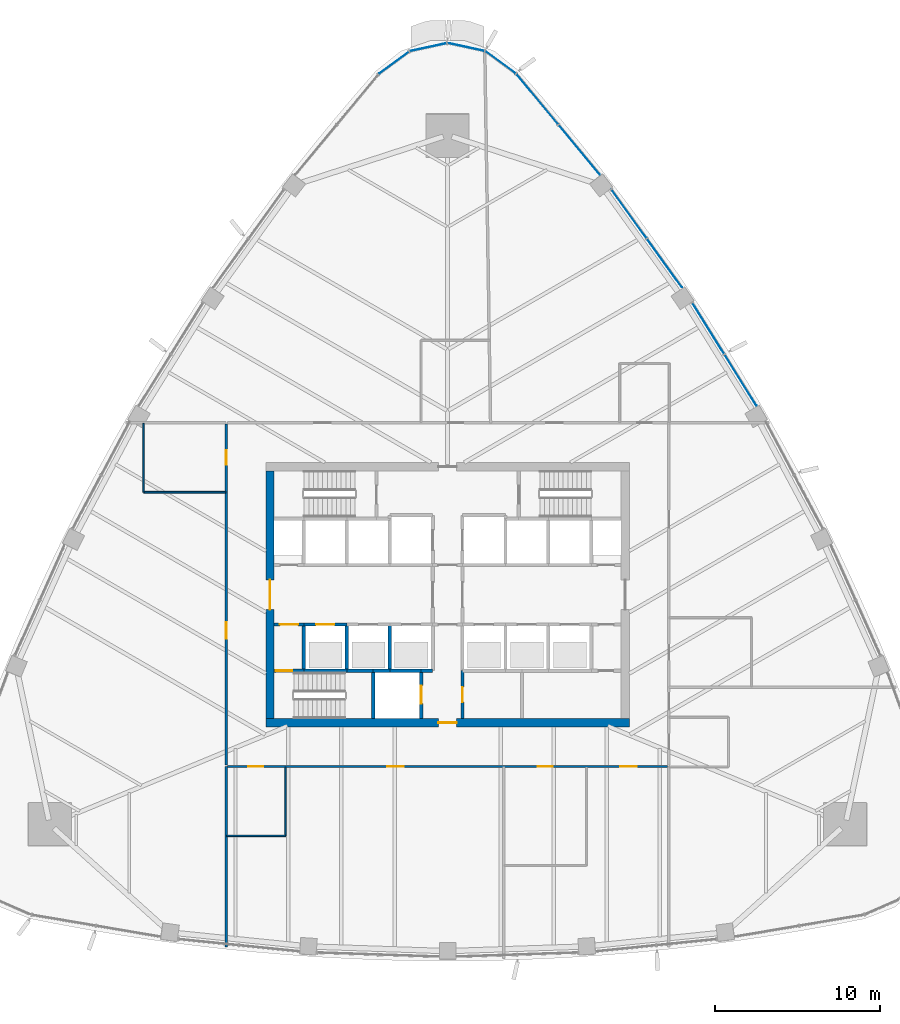
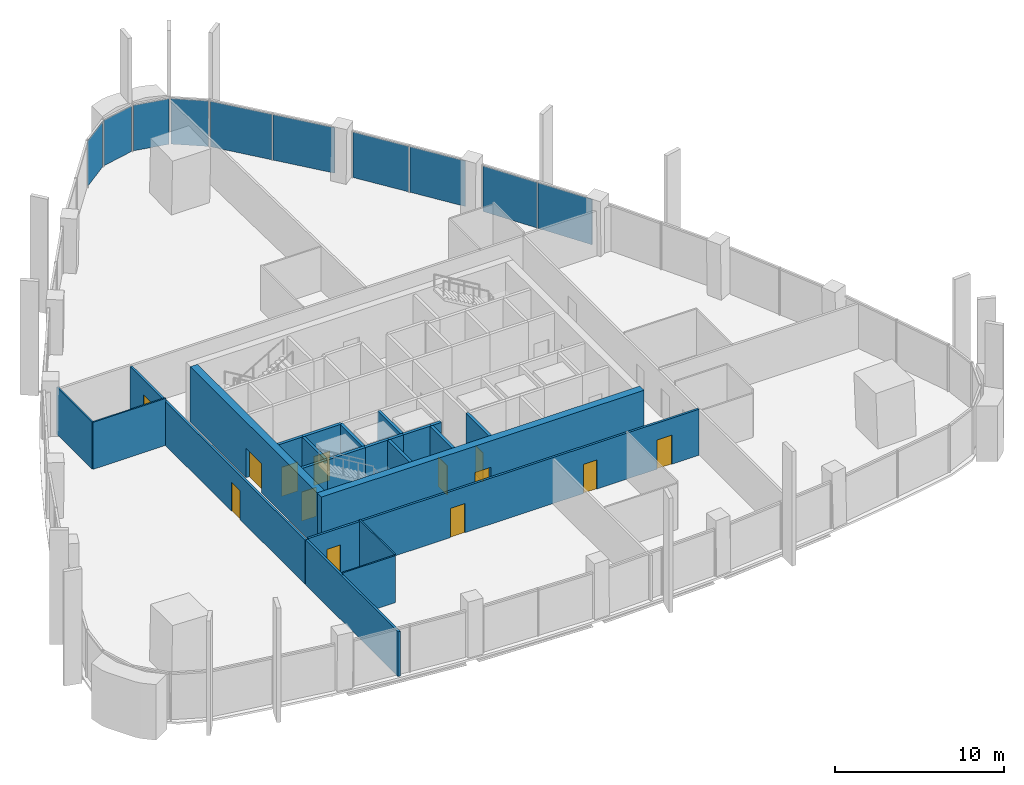
# One storey, part 9 of 20: 23 walls, 13 doors, 10 plates, 13 openings, 7 elements without a shape of their own.
"""IFC4 building model written with IfcOpenShell, lengths in metres."""

from ifc_helpers import new_model, si_unit, direction, frame, frame_2d, origin, origin_2d, place, context, subcontext, project, spatial, rectangle, extrude, material, layer, layer_set, type_object, element, fill, aggregate, save


model = new_model("IFC4")

# Units and contexts
model_context = context("Model", 3, precision=1e-05, world=origin(), true_north=direction((0.0, 1.0)))
body_context = subcontext(model_context, "Body", "Model", "MODEL_VIEW")
ifc_project = project(units=[si_unit("LENGTHUNIT", "METRE"), si_unit("AREAUNIT", "SQUARE_METRE"), si_unit("VOLUMEUNIT", "CUBIC_METRE"), si_unit("PLANEANGLEUNIT", "RADIAN"), si_unit("MASSUNIT", "GRAM", prefix="KILO")], contexts=[model_context])

# Site, building, storey
site_placement = place(None, origin())
site = spatial("IfcSite", under=ifc_project, at=site_placement, CompositionType="ELEMENT")
building_placement = place(site_placement, origin())
building = spatial("IfcBuilding", under=site, at=building_placement, Name="Sierra Prisma Convention Tower", CompositionType="ELEMENT")
storey_placement = place(building_placement, frame((0.0, 0.0, 161.800048828125)))
storey = spatial("IfcBuildingStorey", under=building, at=storey_placement, Name="L35", CompositionType="ELEMENT", Elevation=161.800048828125)

# Curtain wall, plates
ifc_material_1 = material(Name="Aluminium and glass curtain wall", Category="aluminium")
ifc_layer_1 = layer(ifc_material_1, 0.179931640625)
ifc_layer_set_1 = layer_set([ifc_layer_1], Name="CW-1 Plain shaft curtain wall")
curtain_wall_type = type_object("IfcCurtainWallType", Name="CW-1 Plain shaft curtain wall", PredefinedType="NOTDEFINED", material=ifc_layer_set_1)
curtain_wall_1_placement = place(storey_placement, origin())
curtain_wall_1 = element("IfcCurtainWall", 1, at=curtain_wall_1_placement, inside=storey, type_object=curtain_wall_type, Name="CW-1 NE4 L35", PredefinedType="NOTDEFINED")
ifc_material_2 = material(Name="Tinted glass bronze-grey IGU", Category="glass")
ifc_layer_2 = layer(ifc_material_2, 0.028076171875)
ifc_layer_set_2 = layer_set([ifc_layer_2], Name="CW-1 glass panel")
plate_type = type_object("IfcPlateType", Name="CW-1 glass panel", PredefinedType="CURTAIN_PANEL", material=ifc_layer_set_2)
plate_1_placement = place(storey_placement, frame((17.72900390625, 12.98095703125, 0.0), z_axis=(0.0, 0.0, 1.0), x_axis=(-0.528868793119, 0.848703599418, 0.0)))
plate_1 = element("IfcPlate", 2, at=plate_1_placement, type_object=plate_type, Name="CW-1 panel NE4.1", PredefinedType="CURTAIN_PANEL", context=body_context, shape_type="SweptSolid", body=[
    extrude(rectangle(XDim=3.6171875, YDim=0.028076171875, at=origin_2d()), origin(), (0.0, 0.0, 1.0), 3.280029296875),
])
plate_2_placement = place(storey_placement, frame((15.77880859375, 16.1103515625, 0.0), z_axis=(0.0, 0.0, 1.0), x_axis=(-0.528868793119, 0.848703599418, 0.0)))
plate_2 = element("IfcPlate", 3, at=plate_2_placement, type_object=plate_type, Name="CW-1 panel NE4.2", PredefinedType="CURTAIN_PANEL", context=body_context, shape_type="SweptSolid", body=[
    extrude(rectangle(XDim=3.6171875, YDim=0.028076171875, at=origin_2d()), origin(), (0.0, 0.0, 1.0), 3.280029296875),
])
aggregate(curtain_wall_1, [plate_1, plate_2])

curtain_wall_2_placement = place(storey_placement, origin())
curtain_wall_2 = element("IfcCurtainWall", 4, at=curtain_wall_2_placement, inside=storey, type_object=curtain_wall_type, Name="CW-1 NE5 L35", PredefinedType="NOTDEFINED")
plate_3_placement = place(storey_placement, frame((13.1279296875, 20.062744140625, 0.0), z_axis=(0.0, 0.0, 1.0), x_axis=(-0.584775995024, 0.811194819784, 0.0)))
plate_3 = element("IfcPlate", 5, at=plate_3_placement, type_object=plate_type, Name="CW-1 panel NE5.1", PredefinedType="CURTAIN_PANEL", context=body_context, shape_type="SweptSolid", body=[
    extrude(rectangle(XDim=3.60205078125, YDim=0.028076171875, at=origin_2d()), origin(), (0.0, 0.0, 1.0), 3.280029296875),
])
plate_4_placement = place(storey_placement, frame((10.980712890625, 23.04150390625, 0.0), z_axis=(0.0, 0.0, 1.0), x_axis=(-0.584775995024, 0.811194819784, 0.0)))
plate_4 = element("IfcPlate", 6, at=plate_4_placement, type_object=plate_type, Name="CW-1 panel NE5.2", PredefinedType="CURTAIN_PANEL", context=body_context, shape_type="SweptSolid", body=[
    extrude(rectangle(XDim=3.60205078125, YDim=0.028076171875, at=origin_2d()), origin(), (0.0, 0.0, 1.0), 3.280029296875),
])
aggregate(curtain_wall_2, [plate_3, plate_4])

curtain_wall_3_placement = place(storey_placement, origin())
curtain_wall_3 = element("IfcCurtainWall", 7, at=curtain_wall_3_placement, inside=storey, type_object=curtain_wall_type, Name="CW-1 NE6 L35", PredefinedType="NOTDEFINED")
plate_5_placement = place(storey_placement, frame((7.9697265625, 26.929931640625, 0.0), z_axis=(0.0, 0.0, 1.0), x_axis=(-0.638032685842, 0.770009280332, 0.0)))
plate_5 = element("IfcPlate", 8, at=plate_5_placement, type_object=plate_type, Name="CW-1 panel NE6.1", PredefinedType="CURTAIN_PANEL", context=body_context, shape_type="SweptSolid", body=[
    extrude(rectangle(XDim=3.87353515625, YDim=0.028076171875, at=origin_2d()), origin(), (0.0, 0.0, 1.0), 3.280029296875),
])
plate_6_placement = place(storey_placement, frame((5.45361328125, 29.96630859375, 0.0), z_axis=(0.0, 0.0, 1.0), x_axis=(-0.638032685842, 0.770009280332, 0.0)))
plate_6 = element("IfcPlate", 9, at=plate_6_placement, type_object=plate_type, Name="CW-1 panel NE6.2", PredefinedType="CURTAIN_PANEL", context=body_context, shape_type="SweptSolid", body=[
    extrude(rectangle(XDim=3.87353515625, YDim=0.028076171875, at=origin_2d()), origin(), (0.0, 0.0, 1.0), 3.280029296875),
])
aggregate(curtain_wall_3, [plate_5, plate_6])

# Curtain wall, plate
curtain_wall_4_placement = place(storey_placement, origin())
curtain_wall_4 = element("IfcCurtainWall", 10, at=curtain_wall_4_placement, inside=storey, type_object=curtain_wall_type, Name="CW-1 N1 L35", PredefinedType="NOTDEFINED")
plate_7_placement = place(storey_placement, frame((3.230712890625, 32.20458984375, 0.0), z_axis=(0.0, 0.0, 1.0), x_axis=(-0.805729334585, 0.592283917888, 0.0)))
plate_7 = element("IfcPlate", 11, at=plate_7_placement, type_object=plate_type, Name="CW-1 panel N1.1", PredefinedType="CURTAIN_PANEL", context=body_context, shape_type="SweptSolid", body=[
    extrude(rectangle(XDim=2.199951171875, YDim=0.028076171875, at=origin_2d()), origin(), (0.0, 0.0, 1.0), 3.280029296875),
])
aggregate(curtain_wall_4, [plate_7])

curtain_wall_5_placement = place(storey_placement, origin())
curtain_wall_5 = element("IfcCurtainWall", 12, at=curtain_wall_5_placement, inside=storey, type_object=curtain_wall_type, Name="CW-1 N2 L35", PredefinedType="NOTDEFINED")
plate_8_placement = place(storey_placement, frame((1.14404296875, 33.142822265625, 0.0), z_axis=(0.0, 0.0, 1.0), x_axis=(-0.977759755028, 0.209728065473, 0.0)))
plate_8 = element("IfcPlate", 13, at=plate_8_placement, type_object=plate_type, Name="CW-1 panel N2.1", PredefinedType="CURTAIN_PANEL", context=body_context, shape_type="SweptSolid", body=[
    extrude(rectangle(XDim=2.199951171875, YDim=0.028076171875, at=origin_2d()), origin(), (0.0, 0.0, 1.0), 3.280029296875),
])
aggregate(curtain_wall_5, [plate_8])

curtain_wall_6_placement = place(storey_placement, origin())
curtain_wall_6 = element("IfcCurtainWall", 14, at=curtain_wall_6_placement, inside=storey, type_object=curtain_wall_type, Name="CW-1 N3 L35", PredefinedType="NOTDEFINED")
plate_9_placement = place(storey_placement, frame((-1.14404296875, 33.142822265625, 0.0), z_axis=(0.0, 0.0, 1.0), x_axis=(-0.977759755028, -0.209728065473, 0.0)))
plate_9 = element("IfcPlate", 15, at=plate_9_placement, type_object=plate_type, Name="CW-1 panel N3.1", PredefinedType="CURTAIN_PANEL", context=body_context, shape_type="SweptSolid", body=[
    extrude(rectangle(XDim=2.199951171875, YDim=0.028076171875, at=origin_2d()), origin(), (0.0, 0.0, 1.0), 3.280029296875),
])
aggregate(curtain_wall_6, [plate_9])

curtain_wall_7_placement = place(storey_placement, origin())
curtain_wall_7 = element("IfcCurtainWall", 16, at=curtain_wall_7_placement, inside=storey, type_object=curtain_wall_type, Name="CW-1 N4 L35", PredefinedType="NOTDEFINED")
plate_10_placement = place(storey_placement, frame((-3.230712890625, 32.20458984375, 0.0), z_axis=(0.0, 0.0, 1.0), x_axis=(-0.805729334585, -0.592283917888, 0.0)))
plate_10 = element("IfcPlate", 17, at=plate_10_placement, type_object=plate_type, Name="CW-1 panel N4.1", PredefinedType="CURTAIN_PANEL", context=body_context, shape_type="SweptSolid", body=[
    extrude(rectangle(XDim=2.199951171875, YDim=0.028076171875, at=origin_2d()), origin(), (0.0, 0.0, 1.0), 3.280029296875),
])
aggregate(curtain_wall_7, [plate_10])

# Walls
ifc_material_3 = material(Name="Gypsum board partition", Category="gypsum")
ifc_layer_3 = layer(ifc_material_3, 0.10009765625)
ifc_layer_set_3 = layer_set([ifc_layer_3], Name="Bathroom partition 100")
wall_type_1 = type_object("IfcWallType", Name="Bathroom partition 100", PredefinedType="PARTITIONING", material=ifc_layer_set_3)
wall_1_placement = place(storey_placement, frame((-13.429931640625, 6.199951171875, 0.0), z_axis=(0.0, 0.0, 1.0), x_axis=(-1.0, 0.0, 0.0)))
element("IfcWall", 18, at=wall_1_placement, inside=storey, type_object=wall_type_1, Name="Partition L35 bath 1", PredefinedType="PARTITIONING", context=body_context, shape_type="SweptSolid", body=[
    extrude(rectangle(XDim=4.969970703125, YDim=0.10009765625, at=frame_2d((2.48486328125, 0.0))), origin(), (0.0, 0.0, 1.0), 3.39306640625),
])
wall_2_placement = place(storey_placement, frame((-18.39990234375, 6.199951171875, 0.0), z_axis=(0.0, 0.0, 1.0), x_axis=(0.0, 1.0, 0.0)))
element("IfcWall", 19, at=wall_2_placement, inside=storey, type_object=wall_type_1, Name="Partition L35 bath 2", PredefinedType="PARTITIONING", context=body_context, shape_type="SweptSolid", body=[
    extrude(rectangle(XDim=4.170166015625, YDim=0.10009765625, at=frame_2d((2.0849609375, 0.0))), origin(), (0.0, 0.0, 1.0), 3.39306640625),
])
wall_3_placement = place(storey_placement, frame((-9.800048828125, -10.429931640625, 0.0), z_axis=(0.0, 0.0, 1.0), x_axis=(0.0, -1.0, 0.0)))
element("IfcWall", 20, at=wall_3_placement, inside=storey, type_object=wall_type_1, Name="Partition L35 bath 3", PredefinedType="PARTITIONING", context=body_context, shape_type="SweptSolid", body=[
    extrude(rectangle(XDim=4.170166015625, YDim=0.10009765625, at=frame_2d((2.0849609375, 0.0))), origin(), (0.0, 0.0, 1.0), 3.449951171875),
])
wall_4_placement = place(storey_placement, frame((-9.800048828125, -14.60009765625, 0.0), z_axis=(0.0, 0.0, 1.0), x_axis=(-1.0, 0.0, 0.0)))
element("IfcWall", 21, at=wall_4_placement, inside=storey, type_object=wall_type_1, Name="Partition L35 bath 4", PredefinedType="PARTITIONING", context=body_context, shape_type="SweptSolid", body=[
    extrude(rectangle(XDim=3.570068359375, YDim=0.10009765625, at=frame_2d((1.78515625, 0.0))), origin(), (0.0, 0.0, 1.0), 3.39306640625),
])

# Wall, opening, door
ifc_material_4 = material(Name="Concrete C30/37", Category="concrete")
ifc_layer_4 = layer(ifc_material_4, 0.199951171875)
ifc_layer_set_4 = layer_set([ifc_layer_4], Name="Core wall RC 200 C30/37")
wall_type_2 = type_object("IfcWallType", Name="Core wall RC 200 C30/37", PredefinedType="SOLIDWALL", material=ifc_layer_set_4)
wall_5_placement = place(storey_placement, frame((-10.5, -4.60009765625, 0.0), z_axis=(0.0, 0.0, 1.0), x_axis=(1.0, 0.0, 0.0)))
wall_5 = element("IfcWall", 22, at=wall_5_placement, inside=storey, type_object=wall_type_2, Name="Core wall L35 1", PredefinedType="SOLIDWALL", context=body_context, shape_type="SweptSolid", body=[
    extrude(rectangle(XDim=1.800048828125, YDim=0.199951171875, at=frame_2d((0.89990234375, 0.0))), origin(), (0.0, 0.0, 1.0), 3.849853515625),
])
opening_1_placement = place(wall_5_placement, frame((0.10009765625, 0.0, 0.0)))
opening_1 = element("IfcOpeningElement", 23, at=opening_1_placement, cuts=wall_5, Name="Opening L35-D017", PredefinedType="OPENING", context=body_context, shape_type="SweptSolid", body=[
    extrude(rectangle(XDim=1.0, YDim=2.10009765625, at=frame_2d((0.5, 1.050048828125))), frame((0.0, 0.10009765625, 0.0), z_axis=(0.0, -1.0, 0.0), x_axis=(1.0, 0.0, 0.0)), (0.0, 0.0, 1.0), 0.199951171875),
])
ifc_material_5 = material(Name="Steel fire door leaf", Category="steel")
door_type_1 = type_object("IfcDoorType", Name="Door 1000x2100 FD90S", OperationType="SINGLE_SWING_LEFT", PredefinedType="DOOR", material=ifc_material_5)
door_1_placement = place(opening_1_placement, origin())
door_1 = element("IfcDoor", 24, at=door_1_placement, inside=storey, type_object=door_type_1, Name="Door L35 31", OperationType="SINGLE_SWING_LEFT", OverallHeight=2.10009765625, OverallWidth=1.0, PredefinedType="DOOR", context=body_context, shape_type="SweptSolid", body=[
    extrude(rectangle(XDim=1.0, YDim=2.10009765625, at=frame_2d((0.5, 1.050048828125))), frame((0.0, 0.02490234375, 0.0), z_axis=(0.0, -1.0, 0.0), x_axis=(1.0, 0.0, 0.0)), (0.0, 0.0, 1.0), 0.050048828125),
])
fill(opening_1, door_1)

wall_6_placement = place(storey_placement, frame((-10.5, -1.800048828125, 0.0), z_axis=(0.0, 0.0, 1.0), x_axis=(1.0, 0.0, 0.0)))
wall_6 = element("IfcWall", 25, at=wall_6_placement, inside=storey, type_object=wall_type_2, Name="Core wall L35 2", PredefinedType="SOLIDWALL", context=body_context, shape_type="SweptSolid", body=[
    extrude(rectangle(XDim=1.800048828125, YDim=0.199951171875, at=frame_2d((0.89990234375, 0.0))), origin(), (0.0, 0.0, 1.0), 3.849853515625),
])
opening_2_placement = place(wall_6_placement, frame((0.35009765625, 0.0, 0.0)))
opening_2 = element("IfcOpeningElement", 26, at=opening_2_placement, cuts=wall_6, Name="Opening L35-D012", PredefinedType="OPENING", context=body_context, shape_type="SweptSolid", body=[
    extrude(rectangle(XDim=1.10009765625, YDim=2.10009765625, at=frame_2d((0.550048828125, 1.050048828125))), frame((0.0, 0.10009765625, 0.0), z_axis=(0.0, -1.0, 0.0), x_axis=(1.0, 0.0, 0.0)), (0.0, 0.0, 1.0), 0.199951171875),
])
ifc_material_6 = material(Name="Steel fire door leaf", Category="steel")
door_type_2 = type_object("IfcDoorType", Name="Door 1100x2100 FD90S", OperationType="SINGLE_SWING_LEFT", PredefinedType="DOOR", material=ifc_material_6)
door_2_placement = place(opening_2_placement, origin())
door_2 = element("IfcDoor", 27, at=door_2_placement, inside=storey, type_object=door_type_2, Name="Door L35 26", OperationType="SINGLE_SWING_RIGHT", OverallHeight=2.10009765625, OverallWidth=1.10009765625, PredefinedType="DOOR", context=body_context, shape_type="SweptSolid", body=[
    extrude(rectangle(XDim=1.10009765625, YDim=2.10009765625, at=frame_2d((0.550048828125, 1.050048828125))), frame((0.0, 0.02490234375, 0.0), z_axis=(0.0, -1.0, 0.0), x_axis=(1.0, 0.0, 0.0)), (0.0, 0.0, 1.0), 0.050048828125),
])
fill(opening_2, door_2)

# Walls
wall_7_placement = place(storey_placement, frame((-8.699951171875, -4.60009765625, 0.0), z_axis=(0.0, 0.0, 1.0), x_axis=(1.0, 0.0, 0.0)))
element("IfcWall", 28, at=wall_7_placement, inside=storey, type_object=wall_type_2, Name="Core wall L35 5", PredefinedType="SOLIDWALL", context=body_context, shape_type="SweptSolid", body=[
    extrude(rectangle(XDim=2.599853515625, YDim=0.199951171875, at=frame_2d((1.2998046875, 0.0))), origin(), (0.0, 0.0, 1.0), 3.849853515625),
])
wall_8_placement = place(storey_placement, frame((-8.699951171875, -4.60009765625, 0.0), z_axis=(0.0, 0.0, 1.0), x_axis=(0.0, 1.0, 0.0)))
element("IfcWall", 29, at=wall_8_placement, inside=storey, type_object=wall_type_2, Name="Core wall L35 6", PredefinedType="SOLIDWALL", context=body_context, shape_type="SweptSolid", body=[
    extrude(rectangle(XDim=2.800048828125, YDim=0.199951171875, at=frame_2d((1.39990234375, 0.0))), origin(), (0.0, 0.0, 1.0), 3.849853515625),
])

# Wall, opening, door
wall_9_placement = place(storey_placement, frame((-8.699951171875, -1.800048828125, 0.0), z_axis=(0.0, 0.0, 1.0), x_axis=(1.0, 0.0, 0.0)))
wall_9 = element("IfcWall", 30, at=wall_9_placement, inside=storey, type_object=wall_type_2, Name="Core wall L35 7", PredefinedType="SOLIDWALL", context=body_context, shape_type="SweptSolid", body=[
    extrude(rectangle(XDim=2.599853515625, YDim=0.199951171875, at=frame_2d((1.2998046875, 0.0))), origin(), (0.0, 0.0, 1.0), 3.849853515625),
])
opening_3_placement = place(wall_9_placement, frame((0.75, 0.0, 0.0)))
opening_3 = element("IfcOpeningElement", 31, at=opening_3_placement, cuts=wall_9, Name="Opening L35-D001", PredefinedType="OPENING", context=body_context, shape_type="SweptSolid", body=[
    extrude(rectangle(XDim=1.10009765625, YDim=2.10009765625, at=frame_2d((0.550048828125, 1.050048828125))), frame((0.0, 0.10009765625, 0.0), z_axis=(0.0, -1.0, 0.0), x_axis=(1.0, 0.0, 0.0)), (0.0, 0.0, 1.0), 0.199951171875),
])
ifc_material_7 = material(Name="Steel fire door leaf", Category="steel")
door_type_3 = type_object("IfcDoorType", Name="Door 1100x2100 EI 90 sliding lift landing", OperationType="SLIDING_TO_LEFT", PredefinedType="DOOR", material=ifc_material_7)
door_3_placement = place(opening_3_placement, origin())
door_3 = element("IfcDoor", 32, at=door_3_placement, inside=storey, type_object=door_type_3, Name="Door L35 15", OperationType="SLIDING_TO_RIGHT", OverallHeight=2.10009765625, OverallWidth=1.10009765625, PredefinedType="DOOR", context=body_context, shape_type="SweptSolid", body=[
    extrude(rectangle(XDim=1.10009765625, YDim=2.10009765625, at=frame_2d((0.550048828125, 1.050048828125))), frame((0.0, 0.02490234375, 0.0), z_axis=(0.0, -1.0, 0.0), x_axis=(1.0, 0.0, 0.0)), (0.0, 0.0, 1.0), 0.050048828125),
])
fill(opening_3, door_3)

# Walls
wall_10_placement = place(storey_placement, frame((-6.10009765625, -4.60009765625, 0.0), z_axis=(0.0, 0.0, 1.0), x_axis=(1.0, 0.0, 0.0)))
element("IfcWall", 33, at=wall_10_placement, inside=storey, type_object=wall_type_2, Name="Core wall L35 11", PredefinedType="SOLIDWALL", context=body_context, shape_type="SweptSolid", body=[
    extrude(rectangle(XDim=1.60009765625, YDim=0.199951171875, at=frame_2d((0.800048828125, 0.0))), origin(), (0.0, 0.0, 1.0), 3.849853515625),
])
wall_11_placement = place(storey_placement, frame((-6.10009765625, -4.60009765625, 0.0), z_axis=(0.0, 0.0, 1.0), x_axis=(0.0, 1.0, 0.0)))
element("IfcWall", 34, at=wall_11_placement, inside=storey, type_object=wall_type_2, Name="Core wall L35 12", PredefinedType="SOLIDWALL", context=body_context, shape_type="SweptSolid", body=[
    extrude(rectangle(XDim=2.800048828125, YDim=0.199951171875, at=frame_2d((1.39990234375, 0.0))), origin(), (0.0, 0.0, 1.0), 3.849853515625),
])
wall_12_placement = place(storey_placement, frame((-4.5, -4.60009765625, 0.0), z_axis=(0.0, 0.0, 1.0), x_axis=(0.0, -1.0, 0.0)))
element("IfcWall", 35, at=wall_12_placement, inside=storey, type_object=wall_type_2, Name="Core wall L35 17", PredefinedType="SOLIDWALL", context=body_context, shape_type="SweptSolid", body=[
    extrude(rectangle(XDim=2.89990234375, YDim=0.199951171875, at=frame_2d((1.449951171875, 0.0))), origin(), (0.0, 0.0, 1.0), 3.849853515625),
])
wall_13_placement = place(storey_placement, frame((-4.5, -4.60009765625, 0.0), z_axis=(0.0, 0.0, 1.0), x_axis=(1.0, 0.0, 0.0)))
element("IfcWall", 36, at=wall_13_placement, inside=storey, type_object=wall_type_2, Name="Core wall L35 18", PredefinedType="SOLIDWALL", context=body_context, shape_type="SweptSolid", body=[
    extrude(rectangle(XDim=1.0, YDim=0.199951171875, at=frame_2d((0.5, 0.0))), origin(), (0.0, 0.0, 1.0), 3.849853515625),
])
wall_14_placement = place(storey_placement, frame((-3.5, -4.60009765625, 0.0), z_axis=(0.0, 0.0, 1.0), x_axis=(1.0, 0.0, 0.0)))
element("IfcWall", 37, at=wall_14_placement, inside=storey, type_object=wall_type_2, Name="Core wall L35 21", PredefinedType="SOLIDWALL", context=body_context, shape_type="SweptSolid", body=[
    extrude(rectangle(XDim=1.89990234375, YDim=0.199951171875, at=frame_2d((0.949951171875, 0.0))), origin(), (0.0, 0.0, 1.0), 3.849853515625),
])
wall_15_placement = place(storey_placement, frame((-3.5, -4.60009765625, 0.0), z_axis=(0.0, 0.0, 1.0), x_axis=(0.0, 1.0, 0.0)))
element("IfcWall", 38, at=wall_15_placement, inside=storey, type_object=wall_type_2, Name="Core wall L35 22", PredefinedType="SOLIDWALL", context=body_context, shape_type="SweptSolid", body=[
    extrude(rectangle(XDim=2.800048828125, YDim=0.199951171875, at=frame_2d((1.39990234375, 0.0))), origin(), (0.0, 0.0, 1.0), 3.849853515625),
])

# Wall, opening, door
wall_16_placement = place(storey_placement, frame((-1.60009765625, -7.5, 0.0), z_axis=(0.0, 0.0, 1.0), x_axis=(0.0, 1.0, 0.0)))
wall_16 = element("IfcWall", 39, at=wall_16_placement, inside=storey, type_object=wall_type_2, Name="Core wall L35 29", PredefinedType="SOLIDWALL", context=body_context, shape_type="SweptSolid", body=[
    extrude(rectangle(XDim=2.89990234375, YDim=0.199951171875, at=frame_2d((1.449951171875, 0.0))), origin(), (0.0, 0.0, 1.0), 3.849853515625),
])
opening_4_placement = place(wall_16_placement, frame((0.89990234375, 0.0, 0.0)))
opening_4 = element("IfcOpeningElement", 40, at=opening_4_placement, cuts=wall_16, Name="Opening L35-D009", PredefinedType="OPENING", context=body_context, shape_type="SweptSolid", body=[
    extrude(rectangle(XDim=1.10009765625, YDim=2.10009765625, at=frame_2d((0.550048828125, 1.050048828125))), frame((0.0, 0.10009765625, 0.0), z_axis=(0.0, -1.0, 0.0), x_axis=(1.0, 0.0, 0.0)), (0.0, 0.0, 1.0), 0.199951171875),
])
door_4_placement = place(opening_4_placement, origin())
door_4 = element("IfcDoor", 41, at=door_4_placement, inside=storey, type_object=door_type_3, Name="Door L35 23", OperationType="SLIDING_TO_RIGHT", OverallHeight=2.10009765625, OverallWidth=1.10009765625, PredefinedType="DOOR", context=body_context, shape_type="SweptSolid", body=[
    extrude(rectangle(XDim=1.10009765625, YDim=2.10009765625, at=frame_2d((0.550048828125, 1.050048828125))), frame((0.0, 0.02490234375, 0.0), z_axis=(0.0, -1.0, 0.0), x_axis=(1.0, 0.0, 0.0)), (0.0, 0.0, 1.0), 0.050048828125),
])
fill(opening_4, door_4)

# Wall
wall_17_placement = place(storey_placement, frame((-1.60009765625, -4.60009765625, 0.0), z_axis=(0.0, 0.0, 1.0), x_axis=(1.0, 0.0, 0.0)))
element("IfcWall", 42, at=wall_17_placement, inside=storey, type_object=wall_type_2, Name="Core wall L35 30", PredefinedType="SOLIDWALL", context=body_context, shape_type="SweptSolid", body=[
    extrude(rectangle(XDim=0.7001953125, YDim=0.199951171875, at=frame_2d((0.35009765625, 0.0))), origin(), (0.0, 0.0, 1.0), 3.849853515625),
])

# Wall, opening, door
wall_18_placement = place(storey_placement, frame((0.89990234375, -4.60009765625, 0.0), z_axis=(0.0, 0.0, 1.0), x_axis=(0.0, -1.0, 0.0)))
wall_18 = element("IfcWall", 43, at=wall_18_placement, inside=storey, type_object=wall_type_2, Name="Core wall L35 35", PredefinedType="SOLIDWALL", context=body_context, shape_type="SweptSolid", body=[
    extrude(rectangle(XDim=2.89990234375, YDim=0.199951171875, at=frame_2d((1.449951171875, 0.0))), origin(), (0.0, 0.0, 1.0), 3.849853515625),
])
opening_5_placement = place(wall_18_placement, frame((1.0, 0.0, 0.0)))
opening_5 = element("IfcOpeningElement", 44, at=opening_5_placement, cuts=wall_18, Name="Opening L35-D022", PredefinedType="OPENING", context=body_context, shape_type="SweptSolid", body=[
    extrude(rectangle(XDim=0.89990234375, YDim=2.10009765625, at=frame_2d((0.449951171875, 1.050048828125))), frame((0.0, 0.10009765625, 0.0), z_axis=(0.0, -1.0, 0.0), x_axis=(1.0, 0.0, 0.0)), (0.0, 0.0, 1.0), 0.199951171875),
])
ifc_material_8 = material(Name="Steel fire door leaf", Category="steel")
door_type_4 = type_object("IfcDoorType", Name="Door 900x2100 FD30S", OperationType="SINGLE_SWING_LEFT", PredefinedType="DOOR", material=ifc_material_8)
door_5_placement = place(opening_5_placement, origin())
door_5 = element("IfcDoor", 45, at=door_5_placement, inside=storey, type_object=door_type_4, Name="Door L35 36", OperationType="SINGLE_SWING_RIGHT", OverallHeight=2.10009765625, OverallWidth=0.89990234375, PredefinedType="DOOR", context=body_context, shape_type="SweptSolid", body=[
    extrude(rectangle(XDim=0.89990234375, YDim=2.10009765625, at=frame_2d((0.449951171875, 1.050048828125))), frame((0.0, 0.02490234375, 0.0), z_axis=(0.0, -1.0, 0.0), x_axis=(1.0, 0.0, 0.0)), (0.0, 0.0, 1.0), 0.050048828125),
])
fill(opening_5, door_5)

ifc_material_9 = material(Name="Concrete C60/75", Category="concrete")
ifc_layer_5 = layer(ifc_material_9, 0.5)
ifc_layer_set_5 = layer_set([ifc_layer_5], Name="Core wall RC 500 C60/75")
wall_type_3 = type_object("IfcWallType", Name="Core wall RC 500 C60/75", PredefinedType="SHEAR", material=ifc_layer_set_5)
wall_19_placement = place(storey_placement, frame((-11.0, -7.75, 0.0), z_axis=(0.0, 0.0, 1.0), x_axis=(1.0, 0.0, 0.0)))
wall_19 = element("IfcWall", 46, at=wall_19_placement, inside=storey, type_object=wall_type_3, Name="Core wall S L35", PredefinedType="SHEAR", context=body_context, shape_type="SweptSolid", body=[
    extrude(rectangle(XDim=22.0, YDim=0.5, at=frame_2d((11.0, 0.0))), origin(), (0.0, 0.0, 1.0), 4.0),
])
opening_6_placement = place(wall_19_placement, frame((10.449951171875, 0.0, 0.0)))
opening_6 = element("IfcOpeningElement", 47, at=opening_6_placement, cuts=wall_19, Name="Opening L35-D039", PredefinedType="OPENING", context=body_context, shape_type="SweptSolid", body=[
    extrude(rectangle(XDim=1.10009765625, YDim=2.10009765625, at=frame_2d((0.550048828125, 1.050048828125))), frame((0.0, 0.25, 0.0), z_axis=(0.0, -1.0, 0.0), x_axis=(1.0, 0.0, 0.0)), (0.0, 0.0, 1.0), 0.5),
])
ifc_material_10 = material(Name="Steel fire door leaf", Category="steel")
door_type_5 = type_object("IfcDoorType", Name="Door 1100x2100 FD30S", OperationType="SINGLE_SWING_LEFT", PredefinedType="DOOR", material=ifc_material_10)
door_6_placement = place(opening_6_placement, origin())
door_6 = element("IfcDoor", 48, at=door_6_placement, inside=storey, type_object=door_type_5, Name="Door L35 40", OperationType="SINGLE_SWING_RIGHT", OverallHeight=2.10009765625, OverallWidth=1.10009765625, PredefinedType="DOOR", context=body_context, shape_type="SweptSolid", body=[
    extrude(rectangle(XDim=1.10009765625, YDim=2.10009765625, at=frame_2d((0.550048828125, 1.050048828125))), frame((0.0, 0.02490234375, 0.0), z_axis=(0.0, -1.0, 0.0), x_axis=(1.0, 0.0, 0.0)), (0.0, 0.0, 1.0), 0.050048828125),
])
fill(opening_6, door_6)

wall_20_placement = place(storey_placement, frame((-10.75, -7.5, 0.0), z_axis=(0.0, 0.0, 1.0), x_axis=(0.0, 1.0, 0.0)))
wall_20 = element("IfcWall", 49, at=wall_20_placement, inside=storey, type_object=wall_type_3, Name="Core wall W L35", PredefinedType="SHEAR", context=body_context, shape_type="SweptSolid", body=[
    extrude(rectangle(XDim=15.0, YDim=0.5, at=frame_2d((7.5, 0.0))), origin(), (0.0, 0.0, 1.0), 4.0),
])
opening_7_placement = place(wall_20_placement, frame((6.60009765625, 0.0, 0.0)))
opening_7 = element("IfcOpeningElement", 50, at=opening_7_placement, cuts=wall_20, Name="Opening L35-D040", PredefinedType="OPENING", context=body_context, shape_type="SweptSolid", body=[
    extrude(rectangle(XDim=1.800048828125, YDim=2.10009765625, at=frame_2d((0.89990234375, 1.050048828125))), frame((0.0, 0.25, 0.0), z_axis=(0.0, -1.0, 0.0), x_axis=(1.0, 0.0, 0.0)), (0.0, 0.0, 1.0), 0.5),
])
ifc_material_11 = material(Name="Steel fire door leaf", Category="steel")
door_type_6 = type_object("IfcDoorType", Name="Door 1800x2100 FD60S", OperationType="DOUBLE_DOOR_SINGLE_SWING", PredefinedType="DOOR", material=ifc_material_11)
door_7_placement = place(opening_7_placement, origin())
door_7 = element("IfcDoor", 51, at=door_7_placement, inside=storey, type_object=door_type_6, Name="Door L35 37", OperationType="DOUBLE_DOOR_SINGLE_SWING", OverallHeight=2.10009765625, OverallWidth=1.800048828125, PredefinedType="DOOR", context=body_context, shape_type="SweptSolid", body=[
    extrude(rectangle(XDim=1.800048828125, YDim=2.10009765625, at=frame_2d((0.89990234375, 1.050048828125))), frame((0.0, 0.02490234375, 0.0), z_axis=(0.0, -1.0, 0.0), x_axis=(1.0, 0.0, 0.0)), (0.0, 0.0, 1.0), 0.050048828125),
])
fill(opening_7, door_7)

# Wall, openings, doors
ifc_material_12 = material(Name="Gypsum board partition", Category="gypsum")
ifc_layer_6 = layer(ifc_material_12, 0.14990234375)
ifc_layer_set_6 = layer_set([ifc_layer_6], Name="Corridor wall 150 gypsum EI 60")
wall_type_4 = type_object("IfcWallType", Name="Corridor wall 150 gypsum EI 60", PredefinedType="PARTITIONING", material=ifc_layer_set_6)
wall_21_placement = place(storey_placement, frame((-13.39990234375, 10.320068359375, 0.0), z_axis=(0.0, 0.0, 1.0), x_axis=(0.0, -1.0, 0.0)))
wall_21 = element("IfcWall", 52, at=wall_21_placement, inside=storey, type_object=wall_type_4, Name="Partition L35 corr 1", PredefinedType="PARTITIONING", context=body_context, shape_type="SweptSolid", body=[
    extrude(rectangle(XDim=20.64013671875, YDim=0.14990234375, at=frame_2d((10.320068359375, 0.0))), origin(), (0.0, 0.0, 1.0), 3.166015625),
])
opening_8_placement = place(wall_21_placement, frame((1.570068359375, 0.0, 0.0)))
opening_8 = element("IfcOpeningElement", 53, at=opening_8_placement, cuts=wall_21, Name="Opening L35-D029", PredefinedType="OPENING", context=body_context, shape_type="SweptSolid", body=[
    extrude(rectangle(XDim=0.89990234375, YDim=2.10009765625, at=frame_2d((0.449951171875, 1.050048828125))), frame((0.0, 0.074951171875, 0.0), z_axis=(0.0, -1.0, 0.0), x_axis=(1.0, 0.0, 0.0)), (0.0, 0.0, 1.0), 0.14990234375),
])
opening_9_placement = place(wall_21_placement, frame((11.97998046875, 0.0, 0.0)))
opening_9 = element("IfcOpeningElement", 54, at=opening_9_placement, cuts=wall_21, Name="Opening L35-D030", PredefinedType="OPENING", context=body_context, shape_type="SweptSolid", body=[
    extrude(rectangle(XDim=1.0, YDim=2.10009765625, at=frame_2d((0.5, 1.050048828125))), frame((0.0, 0.074951171875, 0.0), z_axis=(0.0, -1.0, 0.0), x_axis=(1.0, 0.0, 0.0)), (0.0, 0.0, 1.0), 0.14990234375),
])
ifc_material_13 = material(Name="Steel fire door leaf", Category="steel")
door_type_7 = type_object("IfcDoorType", Name="Door 1000x2100 FD30S", OperationType="SINGLE_SWING_LEFT", PredefinedType="DOOR", material=ifc_material_13)
door_8_placement = place(opening_9_placement, origin())
door_8 = element("IfcDoor", 55, at=door_8_placement, inside=storey, type_object=door_type_7, Name="Door L35 8", OperationType="SINGLE_SWING_LEFT", OverallHeight=2.10009765625, OverallWidth=1.0, PredefinedType="DOOR", context=body_context, shape_type="SweptSolid", body=[
    extrude(rectangle(XDim=1.0, YDim=2.10009765625, at=frame_2d((0.5, 1.050048828125))), frame((0.0, 0.02490234375, 0.0), z_axis=(0.0, -1.0, 0.0), x_axis=(1.0, 0.0, 0.0)), (0.0, 0.0, 1.0), 0.050048828125),
])
fill(opening_9, door_8)
door_9_placement = place(opening_8_placement, origin())
door_9 = element("IfcDoor", 56, at=door_9_placement, inside=storey, type_object=door_type_4, Name="Door L35 7", OperationType="SINGLE_SWING_LEFT", OverallHeight=2.10009765625, OverallWidth=0.89990234375, PredefinedType="DOOR", context=body_context, shape_type="SweptSolid", body=[
    extrude(rectangle(XDim=0.89990234375, YDim=2.10009765625, at=frame_2d((0.449951171875, 1.050048828125))), frame((0.0, 0.02490234375, 0.0), z_axis=(0.0, -1.0, 0.0), x_axis=(1.0, 0.0, 0.0)), (0.0, 0.0, 1.0), 0.050048828125),
])
fill(opening_8, door_9)

wall_22_placement = place(storey_placement, frame((-13.320068359375, -10.39990234375, 0.0), z_axis=(0.0, 0.0, 1.0), x_axis=(1.0, 0.0, 0.0)))
wall_22 = element("IfcWall", 57, at=wall_22_placement, inside=storey, type_object=wall_type_4, Name="Partition L35 corr 2", PredefinedType="PARTITIONING", context=body_context, shape_type="SweptSolid", body=[
    extrude(rectangle(XDim=26.64013671875, YDim=0.14990234375, at=frame_2d((13.320068359375, 0.0))), origin(), (0.0, 0.0, 1.0), 3.31689453125),
])
opening_10_placement = place(wall_22_placement, frame((1.27001953125, 0.0, 0.0)))
opening_10 = element("IfcOpeningElement", 58, at=opening_10_placement, cuts=wall_22, Name="Opening L35-D031", PredefinedType="OPENING", context=body_context, shape_type="SweptSolid", body=[
    extrude(rectangle(XDim=0.89990234375, YDim=2.10009765625, at=frame_2d((0.449951171875, 1.050048828125))), frame((0.0, 0.074951171875, 0.0), z_axis=(0.0, -1.0, 0.0), x_axis=(1.0, 0.0, 0.0)), (0.0, 0.0, 1.0), 0.14990234375),
])
opening_11_placement = place(wall_22_placement, frame((9.669921875, 0.0, 0.0)))
opening_11 = element("IfcOpeningElement", 59, at=opening_11_placement, cuts=wall_22, Name="Opening L35-D032", PredefinedType="OPENING", context=body_context, shape_type="SweptSolid", body=[
    extrude(rectangle(XDim=1.0, YDim=2.10009765625, at=frame_2d((0.5, 1.050048828125))), frame((0.0, 0.074951171875, 0.0), z_axis=(0.0, -1.0, 0.0), x_axis=(1.0, 0.0, 0.0)), (0.0, 0.0, 1.0), 0.14990234375),
])
opening_12_placement = place(wall_22_placement, frame((18.77001953125, 0.0, 0.0)))
opening_12 = element("IfcOpeningElement", 60, at=opening_12_placement, cuts=wall_22, Name="Opening L35-D033", PredefinedType="OPENING", context=body_context, shape_type="SweptSolid", body=[
    extrude(rectangle(XDim=0.89990234375, YDim=2.10009765625, at=frame_2d((0.449951171875, 1.050048828125))), frame((0.0, 0.074951171875, 0.0), z_axis=(0.0, -1.0, 0.0), x_axis=(1.0, 0.0, 0.0)), (0.0, 0.0, 1.0), 0.14990234375),
])
opening_13_placement = place(wall_22_placement, frame((23.77001953125, 0.0, 0.0)))
opening_13 = element("IfcOpeningElement", 61, at=opening_13_placement, cuts=wall_22, Name="Opening L35-D034", PredefinedType="OPENING", context=body_context, shape_type="SweptSolid", body=[
    extrude(rectangle(XDim=1.0, YDim=2.10009765625, at=frame_2d((0.5, 1.050048828125))), frame((0.0, 0.074951171875, 0.0), z_axis=(0.0, -1.0, 0.0), x_axis=(1.0, 0.0, 0.0)), (0.0, 0.0, 1.0), 0.14990234375),
])
door_10_placement = place(opening_11_placement, origin())
door_10 = element("IfcDoor", 62, at=door_10_placement, inside=storey, type_object=door_type_7, Name="Door L35 10", OperationType="SINGLE_SWING_RIGHT", OverallHeight=2.10009765625, OverallWidth=1.0, PredefinedType="DOOR", context=body_context, shape_type="SweptSolid", body=[
    extrude(rectangle(XDim=1.0, YDim=2.10009765625, at=frame_2d((0.5, 1.050048828125))), frame((0.0, 0.02490234375, 0.0), z_axis=(0.0, -1.0, 0.0), x_axis=(1.0, 0.0, 0.0)), (0.0, 0.0, 1.0), 0.050048828125),
])
fill(opening_11, door_10)
door_11_placement = place(opening_13_placement, origin())
door_11 = element("IfcDoor", 63, at=door_11_placement, inside=storey, type_object=door_type_7, Name="Door L35 12", OperationType="SINGLE_SWING_LEFT", OverallHeight=2.10009765625, OverallWidth=1.0, PredefinedType="DOOR", context=body_context, shape_type="SweptSolid", body=[
    extrude(rectangle(XDim=1.0, YDim=2.10009765625, at=frame_2d((0.5, 1.050048828125))), frame((0.0, 0.02490234375, 0.0), z_axis=(0.0, -1.0, 0.0), x_axis=(1.0, 0.0, 0.0)), (0.0, 0.0, 1.0), 0.050048828125),
])
fill(opening_13, door_11)
door_12_placement = place(opening_10_placement, origin())
door_12 = element("IfcDoor", 64, at=door_12_placement, inside=storey, type_object=door_type_4, Name="Door L35 9", OperationType="SINGLE_SWING_LEFT", OverallHeight=2.10009765625, OverallWidth=0.89990234375, PredefinedType="DOOR", context=body_context, shape_type="SweptSolid", body=[
    extrude(rectangle(XDim=0.89990234375, YDim=2.10009765625, at=frame_2d((0.449951171875, 1.050048828125))), frame((0.0, 0.02490234375, 0.0), z_axis=(0.0, -1.0, 0.0), x_axis=(1.0, 0.0, 0.0)), (0.0, 0.0, 1.0), 0.050048828125),
])
fill(opening_10, door_12)
door_13_placement = place(opening_12_placement, origin())
door_13 = element("IfcDoor", 65, at=door_13_placement, inside=storey, type_object=door_type_4, Name="Door L35 11", OperationType="SINGLE_SWING_LEFT", OverallHeight=2.10009765625, OverallWidth=0.89990234375, PredefinedType="DOOR", context=body_context, shape_type="SweptSolid", body=[
    extrude(rectangle(XDim=0.89990234375, YDim=2.10009765625, at=frame_2d((0.449951171875, 1.050048828125))), frame((0.0, 0.02490234375, 0.0), z_axis=(0.0, -1.0, 0.0), x_axis=(1.0, 0.0, 0.0)), (0.0, 0.0, 1.0), 0.050048828125),
])
fill(opening_12, door_13)

# Wall
ifc_material_14 = material(Name="Gypsum board partition", Category="gypsum")
ifc_layer_7 = layer(ifc_material_14, 0.14990234375)
ifc_layer_set_7 = layer_set([ifc_layer_7], Name="Party wall 150 gypsum")
wall_type_5 = type_object("IfcWallType", Name="Party wall 150 gypsum", PredefinedType="PARTITIONING", material=ifc_layer_set_7)
wall_23_placement = place(storey_placement, frame((-13.39990234375, -10.39990234375, 0.0), z_axis=(0.0, 0.0, 1.0), x_axis=(0.0, -1.0, 0.0)))
element("IfcWall", 66, at=wall_23_placement, inside=storey, type_object=wall_type_5, Name="Partition L35 party 2", PredefinedType="PARTITIONING", context=body_context, shape_type="SweptSolid", body=[
    extrude(rectangle(XDim=10.9365234375, YDim=0.14990234375, at=frame_2d((5.46826171875, 0.0))), origin(), (0.0, 0.0, 1.0), 3.23388671875),
])

save(model, "model.ifc")
